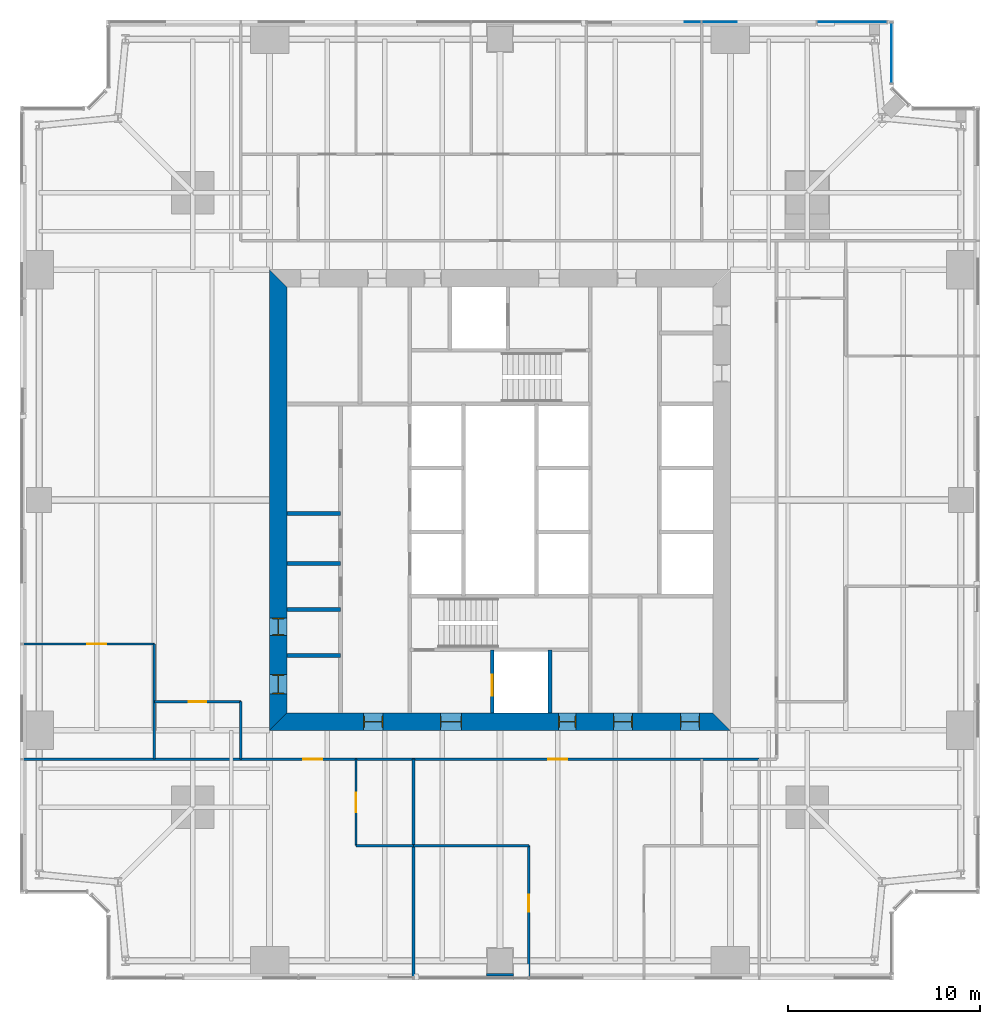
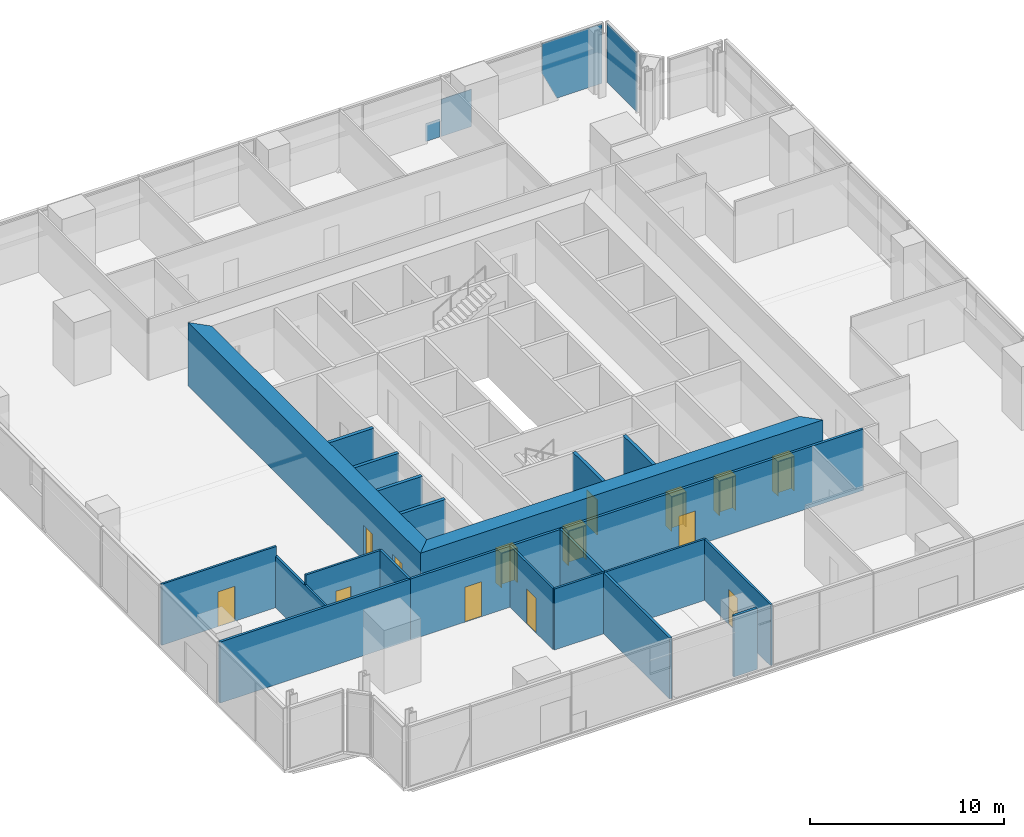
# One storey, part 9 of 14: 20 walls, 14 doors, 4 plates, 14 openings, 2 elements without a shape of their own.
"""IFC4 building model written with IfcOpenShell, lengths in metres."""

from ifc_helpers import new_model, si_unit, direction, frame, frame_2d, origin, origin_2d, place, context, subcontext, project, spatial, polyline, rectangle, outline, extrude, material, layer, layer_set, type_object, element, fill, aggregate, save


model = new_model("IFC4")

# Units and contexts
model_context = context("Model", 3, precision=1e-05, world=origin(), true_north=direction((0.0, 1.0)))
body_context = subcontext(model_context, "Body", "Model", "MODEL_VIEW")
ifc_project = project(units=[si_unit("LENGTHUNIT", "METRE"), si_unit("AREAUNIT", "SQUARE_METRE"), si_unit("VOLUMEUNIT", "CUBIC_METRE"), si_unit("PLANEANGLEUNIT", "RADIAN"), si_unit("MASSUNIT", "GRAM", prefix="KILO")], contexts=[model_context])

# Site, building, storey
site_placement = place(None, origin())
site = spatial("IfcSite", under=ifc_project, at=site_placement, CompositionType="ELEMENT")
building_placement = place(site_placement, origin())
building = spatial("IfcBuilding", under=site, at=building_placement, Name="Fenwick Lantern Interchange", CompositionType="ELEMENT")
storey_placement = place(building_placement, frame((0.0, 0.0, 154.39990234375)))
storey = spatial("IfcBuildingStorey", under=building, at=storey_placement, Name="L36", CompositionType="ELEMENT", Elevation=154.39990234375)

# Curtain wall, plate
ifc_material_1 = material(Name="Aluminium curtain wall frame", Category="aluminium")
curtain_wall_type = type_object("IfcCurtainWallType", Name="OFFICE CURTAIN WALL", PredefinedType="USERDEFINED", material=ifc_material_1)
curtain_wall_1_placement = place(storey_placement, origin())
curtain_wall_1 = element("IfcCurtainWall", 1, at=curtain_wall_1_placement, inside=storey, type_object=curtain_wall_type, Name="Office curtain wall 08", ObjectType="OFFICE CURTAIN WALL", PredefinedType="USERDEFINED")
ifc_material_2 = material(Name="Vision glass, clear low-iron double glazed", Category="glass")
ifc_layer_1 = layer(ifc_material_2, 0.031982421875)
ifc_layer_set_1 = layer_set([ifc_layer_1], Name="OFFICE CURTAIN WALL PANEL 32")
plate_type = type_object("IfcPlateType", Name="OFFICE CURTAIN WALL PANEL 32", PredefinedType="CURTAIN_PANEL", material=ifc_layer_set_1)
plate_1_placement = place(storey_placement, frame((45.39990234375, 48.279296875, 0.0), z_axis=(0.0, 0.0, 1.0), x_axis=(0.0, 1.0, 0.0)))
plate_1 = element("IfcPlate", 2, at=plate_1_placement, type_object=plate_type, Name="L36/CW/08/P00", PredefinedType="CURTAIN_PANEL", context=body_context, shape_type="SweptSolid", body=[
    extrude(rectangle(XDim=3.111328125, YDim=0.031982421875, at=origin_2d()), origin(), (0.0, 0.0, 1.0), 3.75),
])
aggregate(curtain_wall_1, [plate_1])

# Curtain wall, plates
curtain_wall_2_placement = place(storey_placement, origin())
curtain_wall_2 = element("IfcCurtainWall", 3, at=curtain_wall_2_placement, inside=storey, type_object=curtain_wall_type, Name="Office curtain wall 09", ObjectType="OFFICE CURTAIN WALL", PredefinedType="USERDEFINED")
plate_2_placement = place(storey_placement, frame((45.39990234375, 49.89990234375, 0.0), z_axis=(0.0, 0.0, 1.0), x_axis=(-1.0, 0.0, 0.0)))
plate_2 = element("IfcPlate", 4, at=plate_2_placement, type_object=plate_type, Name="L36/CW/09/P00a", PredefinedType="CURTAIN_PANEL", context=body_context, shape_type="SweptSolid", body=[
    extrude(outline(polyline([(0.264892578125, 0.0), (2.97265625, 0.0), (3.867431640625, 1.895263671875), (3.867431640625, 3.75), (0.264892578125, 3.75), (0.264892578125, 0.0)])), frame((0.0, 0.01611328125, 0.0), z_axis=(0.0, -1.0, 0.0), x_axis=(1.0, 0.0, 0.0)), (0.0, 0.0, 1.0), 0.031982421875),
])
plate_3_placement = place(storey_placement, frame((45.39990234375, 49.89990234375, 0.0), z_axis=(0.0, 0.0, 1.0), x_axis=(-1.0, 0.0, 0.0)))
plate_3 = element("IfcPlate", 5, at=plate_3_placement, type_object=plate_type, Name="L36/CW/09/P01a", PredefinedType="CURTAIN_PANEL", context=body_context, shape_type="SweptSolid", body=[
    extrude(outline(polyline([(8.063720703125, 0.0), (9.867431640625, 0.0), (9.867431640625, 2.350341796875), (8.063720703125, 2.350341796875), (8.063720703125, 0.0)])), frame((0.0, 0.01611328125, 0.0), z_axis=(0.0, -1.0, 0.0), x_axis=(1.0, 0.0, 0.0)), (0.0, 0.0, 1.0), 0.031982421875),
])
plate_4_placement = place(storey_placement, frame((45.39990234375, 49.89990234375, 0.0), z_axis=(0.0, 0.0, 1.0), x_axis=(-1.0, 0.0, 0.0)))
plate_4 = element("IfcPlate", 6, at=plate_4_placement, type_object=plate_type, Name="L36/CW/09/P02a", PredefinedType="CURTAIN_PANEL", context=body_context, shape_type="SweptSolid", body=[
    extrude(outline(polyline([(9.9326171875, 0.0), (10.78759765625, 0.0), (10.78759765625, 1.13232421875), (9.9326171875, 1.13232421875), (9.9326171875, 0.0)])), frame((0.0, 0.01611328125, 0.0), z_axis=(0.0, -1.0, 0.0), x_axis=(1.0, 0.0, 0.0)), (0.0, 0.0, 1.0), 0.031982421875),
])
aggregate(curtain_wall_2, [plate_2, plate_3, plate_4])

# Wall
ifc_material_3 = material(Name="Fire-rated gypsum board encasement on steel studs, 2 hour", Category="steel")
ifc_layer_2 = layer(ifc_material_3, 1.39990234375)
ifc_layer_set_2 = layer_set([ifc_layer_2], Name="COLUMN PIER 1400")
wall_type_1 = type_object("IfcWallType", Name="COLUMN PIER 1400", PredefinedType="PARTITIONING", material=ifc_layer_set_2)
wall_1_placement = place(storey_placement, frame((25.0, 0.199951171875, 0.0), z_axis=(0.0, 0.0, 1.0), x_axis=(0.0, 1.0, 0.0)))
element("IfcWall", 7, at=wall_1_placement, inside=storey, type_object=wall_type_1, Name="L36/W/PIER/CS3", PredefinedType="PARTITIONING", context=body_context, shape_type="SweptSolid", body=[
    extrude(rectangle(XDim=0.150146484375, YDim=1.39990234375, at=frame_2d((0.0751953125, 0.0))), origin(), (0.0, 0.0, 1.0), 3.85009765625),
])

# Wall, opening, door
ifc_material_4 = material(Name="Concrete masonry ASTM C90 Grade N", Category="masonry")
ifc_layer_3 = layer(ifc_material_4, 0.199951171875)
ifc_layer_set_3 = layer_set([ifc_layer_3], Name="Concrete masonry ASTM C90 Grade N")
wall_type_2 = type_object("IfcWallType", Name="CORE PARTITION 200", PredefinedType="PARTITIONING", material=ifc_layer_set_3)
wall_2_placement = place(storey_placement, frame((24.60009765625, 13.89990234375, 0.0), z_axis=(0.0, 0.0, 1.0), x_axis=(0.0, 1.0, 0.0)))
wall_2 = element("IfcWall", 8, at=wall_2_placement, inside=storey, type_object=wall_type_2, Name="L36/W/CORES/h1", PredefinedType="PARTITIONING", context=body_context, shape_type="SweptSolid", body=[
    extrude(rectangle(XDim=3.300048828125, YDim=0.199951171875, at=frame_2d((1.64990234375, 0.0))), origin(), (0.0, 0.0, 1.0), 3.800048828125),
])
opening_1_placement = place(wall_2_placement, frame((0.89990234375, 0.0, 0.0)))
opening_1 = element("IfcOpeningElement", 9, at=opening_1_placement, cuts=wall_2, Name="Opening LD-FL1", PredefinedType="OPENING", context=body_context, shape_type="SweptSolid", body=[
    extrude(rectangle(XDim=1.10009765625, YDim=2.199951171875, at=frame_2d((0.550048828125, 1.10009765625))), frame((0.0, 0.10986328125, 0.0), z_axis=(0.0, -1.0, 0.0), x_axis=(1.0, 0.0, 0.0)), (0.0, 0.0, 1.0), 0.219970703125),
])
ifc_material_5 = material(Name="Steel door and frame", Category="steel")
door_type_1 = type_object("IfcDoorType", Name="LIFT LANDING DOOR 1100 X 2200", OperationType="DOUBLE_DOOR_SLIDING", PredefinedType="DOOR", material=ifc_material_5)
door_1_placement = place(opening_1_placement, origin())
door_1 = element("IfcDoor", 10, at=door_1_placement, inside=storey, type_object=door_type_1, Name="Lift landing door FL1", OperationType="DOUBLE_DOOR_SLIDING", OverallHeight=2.199951171875, OverallWidth=1.10009765625, PredefinedType="DOOR", context=body_context, shape_type="SweptSolid", body=[
    extrude(rectangle(XDim=1.10009765625, YDim=2.199951171875, at=frame_2d((0.550048828125, 1.10009765625))), frame((0.0, 0.02490234375, 0.0), z_axis=(0.0, -1.0, 0.0), x_axis=(1.0, 0.0, 0.0)), (0.0, 0.0, 1.0), 0.050048828125),
])
fill(opening_1, door_1)

# Walls
wall_3_placement = place(storey_placement, frame((27.60009765625, 13.89990234375, 0.0), z_axis=(0.0, 0.0, 1.0), x_axis=(0.0, 1.0, 0.0)))
element("IfcWall", 11, at=wall_3_placement, inside=storey, type_object=wall_type_2, Name="L36/W/CORES/h2", PredefinedType="PARTITIONING", context=body_context, shape_type="SweptSolid", body=[
    extrude(rectangle(XDim=3.300048828125, YDim=0.199951171875, at=frame_2d((1.64990234375, 0.0))), origin(), (0.0, 0.0, 1.0), 3.800048828125),
])
for number, where, z_axis, x_axis, name in (
    (12, (13.89990234375, 16.89990234375, 0.0), (0.0, 0.0, 1.0), (1.0, 0.0, 0.0), "L36/W/CORES/p1"),
    (13, (13.89990234375, 19.300048828125, 0.0), (0.0, 0.0, 1.0), (1.0, 0.0, 0.0), "L36/W/CORES/p2"),
    (14, (13.89990234375, 21.699951171875, 0.0), (0.0, 0.0, 1.0), (1.0, 0.0, 0.0), "L36/W/CORES/p3"),
    (15, (13.89990234375, 24.300048828125, 0.0), (0.0, 0.0, 1.0), (1.0, 0.0, 0.0), "L36/W/CORES/p4"),
):
    element("IfcWall", number, at=place(storey_placement, frame(where, z_axis=z_axis, x_axis=x_axis)), inside=storey, type_object=wall_type_2, Name=name, PredefinedType="PARTITIONING", context=body_context, shape_type="SweptSolid", body=[
        extrude(rectangle(XDim=2.800048828125, YDim=0.199951171875, at=frame_2d((1.39990234375, 0.0))), origin(), (0.0, 0.0, 1.0), 3.800048828125),
    ])

# Wall, openings, doors
ifc_material_6 = material(Name="Concrete f'c 70 MPa", Category="concrete")
ifc_layer_4 = layer(ifc_material_6, 0.89990234375)
ifc_layer_set_4 = layer_set([ifc_layer_4], Name="CORE WALL 900")
wall_type_3 = type_object("IfcWallType", Name="CORE WALL 900", PredefinedType="SHEAR", material=ifc_layer_set_4)
wall_4_placement = place(storey_placement, frame((13.0, 13.449951171875, 0.0), z_axis=(0.0, 0.0, 1.0), x_axis=(1.0, 0.0, 0.0)))
wall_4 = element("IfcWall", 16, at=wall_4_placement, inside=storey, type_object=wall_type_3, Name="L36/CORE/S", PredefinedType="SHEAR", context=body_context, shape_type="SweptSolid", body=[
    extrude(outline(polyline([(0.0, -0.449951171875), (24.0, -0.449951171875), (23.10009765625, 0.449951171875), (0.89990234375, 0.449951171875), (0.0, -0.449951171875)])), origin(), (0.0, 0.0, 1.0), 4.0),
])
opening_2_placement = place(wall_4_placement, frame((4.89990234375, 0.0, 0.0)))
opening_2 = element("IfcOpeningElement", 17, at=opening_2_placement, cuts=wall_4, Name="Opening L36-D001", PredefinedType="OPENING", context=body_context, shape_type="SweptSolid", body=[
    extrude(rectangle(XDim=1.0, YDim=2.199951171875, at=frame_2d((0.5, 1.10009765625))), frame((0.0, 0.4599609375, 0.0), z_axis=(0.0, -1.0, 0.0), x_axis=(1.0, 0.0, 0.0)), (0.0, 0.0, 1.0), 0.919921875),
])
opening_3_placement = place(wall_4_placement, frame((8.89990234375, 0.0, 0.0)))
opening_3 = element("IfcOpeningElement", 18, at=opening_3_placement, cuts=wall_4, Name="Opening L36-D002", PredefinedType="OPENING", context=body_context, shape_type="SweptSolid", body=[
    extrude(rectangle(XDim=1.10009765625, YDim=2.199951171875, at=frame_2d((0.550048828125, 1.10009765625))), frame((0.0, 0.4599609375, 0.0), z_axis=(0.0, -1.0, 0.0), x_axis=(1.0, 0.0, 0.0)), (0.0, 0.0, 1.0), 0.919921875),
])
opening_4_placement = place(wall_4_placement, frame((15.050048828125, 0.0, 0.0)))
opening_4 = element("IfcOpeningElement", 19, at=opening_4_placement, cuts=wall_4, Name="Opening L36-D004", PredefinedType="OPENING", context=body_context, shape_type="SweptSolid", body=[
    extrude(rectangle(XDim=0.89990234375, YDim=2.199951171875, at=frame_2d((0.449951171875, 1.10009765625))), frame((0.0, 0.4599609375, 0.0), z_axis=(0.0, -1.0, 0.0), x_axis=(1.0, 0.0, 0.0)), (0.0, 0.0, 1.0), 0.919921875),
])
opening_5_placement = place(wall_4_placement, frame((17.89990234375, 0.0, 0.0)))
opening_5 = element("IfcOpeningElement", 20, at=opening_5_placement, cuts=wall_4, Name="Opening L36-D005", PredefinedType="OPENING", context=body_context, shape_type="SweptSolid", body=[
    extrude(rectangle(XDim=1.0, YDim=2.199951171875, at=frame_2d((0.5, 1.10009765625))), frame((0.0, 0.4599609375, 0.0), z_axis=(0.0, -1.0, 0.0), x_axis=(1.0, 0.0, 0.0)), (0.0, 0.0, 1.0), 0.919921875),
])
opening_6_placement = place(wall_4_placement, frame((21.39990234375, 0.0, 0.0)))
opening_6 = element("IfcOpeningElement", 21, at=opening_6_placement, cuts=wall_4, Name="Opening L36-D006", PredefinedType="OPENING", context=body_context, shape_type="SweptSolid", body=[
    extrude(rectangle(XDim=1.0, YDim=2.199951171875, at=frame_2d((0.5, 1.10009765625))), frame((0.0, 0.4599609375, 0.0), z_axis=(0.0, -1.0, 0.0), x_axis=(1.0, 0.0, 0.0)), (0.0, 0.0, 1.0), 0.919921875),
])
door_type_2 = type_object("IfcDoorType", Name="CORE LOBBY DOOR 1000 X 2200", OperationType="SINGLE_SWING_LEFT", PredefinedType="DOOR", material=ifc_material_5)
door_2_placement = place(opening_2_placement, origin())
door_2 = element("IfcDoor", 22, at=door_2_placement, inside=storey, type_object=door_type_2, Name="Core lobby door", OperationType="SINGLE_SWING_LEFT", OverallHeight=2.199951171875, OverallWidth=1.0, PredefinedType="DOOR", context=body_context, shape_type="SweptSolid", body=[
    extrude(rectangle(XDim=1.0, YDim=2.199951171875, at=frame_2d((0.5, 1.10009765625))), frame((0.0, 0.02490234375, 0.0), z_axis=(0.0, -1.0, 0.0), x_axis=(1.0, 0.0, 0.0)), (0.0, 0.0, 1.0), 0.050048828125),
    extrude(outline(polyline([(0.0, 0.0), (0.0400390625, 0.0), (0.0400390625, 2.159912109375), (0.9599609375, 2.159912109375), (0.9599609375, 0.0), (1.0, 0.0), (1.0, 2.199951171875), (0.0, 2.199951171875), (0.0, 0.0)])), frame((0.0, 0.300048828125, 0.0), z_axis=(0.0, -1.0, 0.0), x_axis=(1.0, 0.0, 0.0)), (0.0, 0.0, 1.0), 0.60009765625),
])
fill(opening_2, door_2)
door_type_3 = type_object("IfcDoorType", Name="FIRE LOBBY DOOR 1100 X 2200", OperationType="SINGLE_SWING_LEFT", PredefinedType="DOOR", material=ifc_material_5)
door_3_placement = place(opening_3_placement, origin())
door_3 = element("IfcDoor", 23, at=door_3_placement, inside=storey, type_object=door_type_3, Name="Fire lobby door", OperationType="SINGLE_SWING_LEFT", OverallHeight=2.199951171875, OverallWidth=1.10009765625, PredefinedType="DOOR", context=body_context, shape_type="SweptSolid", body=[
    extrude(rectangle(XDim=1.10009765625, YDim=2.199951171875, at=frame_2d((0.550048828125, 1.10009765625))), frame((0.0, 0.02490234375, 0.0), z_axis=(0.0, -1.0, 0.0), x_axis=(1.0, 0.0, 0.0)), (0.0, 0.0, 1.0), 0.050048828125),
    extrude(outline(polyline([(0.0, 0.0), (0.0400390625, 0.0), (0.0400390625, 2.159912109375), (1.06005859375, 2.159912109375), (1.06005859375, 0.0), (1.10009765625, 0.0), (1.10009765625, 2.199951171875), (0.0, 2.199951171875), (0.0, 0.0)])), frame((0.0, 0.300048828125, 0.0), z_axis=(0.0, -1.0, 0.0), x_axis=(1.0, 0.0, 0.0)), (0.0, 0.0, 1.0), 0.60009765625),
])
fill(opening_3, door_3)
door_type_4 = type_object("IfcDoorType", Name="SERVICE DOOR 900 X 2200", OperationType="SINGLE_SWING_LEFT", PredefinedType="DOOR", material=ifc_material_5)
door_4_placement = place(opening_4_placement, origin())
door_4 = element("IfcDoor", 24, at=door_4_placement, inside=storey, type_object=door_type_4, Name="Service door", OperationType="SINGLE_SWING_LEFT", OverallHeight=2.199951171875, OverallWidth=0.89990234375, PredefinedType="DOOR", context=body_context, shape_type="SweptSolid", body=[
    extrude(rectangle(XDim=0.89990234375, YDim=2.199951171875, at=frame_2d((0.449951171875, 1.10009765625))), frame((0.0, 0.02490234375, 0.0), z_axis=(0.0, -1.0, 0.0), x_axis=(1.0, 0.0, 0.0)), (0.0, 0.0, 1.0), 0.050048828125),
    extrude(outline(polyline([(0.0, 0.0), (0.0400390625, 0.0), (0.0400390625, 2.159912109375), (0.85986328125, 2.159912109375), (0.85986328125, 0.0), (0.89990234375, 0.0), (0.89990234375, 2.199951171875), (0.0, 2.199951171875), (0.0, 0.0)])), frame((0.0, 0.300048828125, 0.0), z_axis=(0.0, -1.0, 0.0), x_axis=(1.0, 0.0, 0.0)), (0.0, 0.0, 1.0), 0.60009765625),
])
fill(opening_4, door_4)
ifc_material_7 = material(Name="Hardwood door and steel frame", Category="steel")
door_type_5 = type_object("IfcDoorType", Name="WC DOOR 1000 X 2200", OperationType="SINGLE_SWING_LEFT", PredefinedType="DOOR", material=ifc_material_7)
door_5_placement = place(opening_5_placement, origin())
door_5 = element("IfcDoor", 25, at=door_5_placement, inside=storey, type_object=door_type_5, Name="Wc door", OperationType="SINGLE_SWING_RIGHT", OverallHeight=2.199951171875, OverallWidth=1.0, PredefinedType="DOOR", context=body_context, shape_type="SweptSolid", body=[
    extrude(rectangle(XDim=1.0, YDim=2.199951171875, at=frame_2d((0.5, 1.10009765625))), frame((0.0, 0.02490234375, 0.0), z_axis=(0.0, -1.0, 0.0), x_axis=(1.0, 0.0, 0.0)), (0.0, 0.0, 1.0), 0.050048828125),
    extrude(outline(polyline([(0.0, 0.0), (0.0400390625, 0.0), (0.0400390625, 2.159912109375), (0.9599609375, 2.159912109375), (0.9599609375, 0.0), (1.0, 0.0), (1.0, 2.199951171875), (0.0, 2.199951171875), (0.0, 0.0)])), frame((0.0, 0.300048828125, 0.0), z_axis=(0.0, -1.0, 0.0), x_axis=(1.0, 0.0, 0.0)), (0.0, 0.0, 1.0), 0.60009765625),
])
fill(opening_5, door_5)
door_6_placement = place(opening_6_placement, origin())
door_6 = element("IfcDoor", 26, at=door_6_placement, inside=storey, type_object=door_type_5, Name="Wc door", OperationType="SINGLE_SWING_RIGHT", OverallHeight=2.199951171875, OverallWidth=1.0, PredefinedType="DOOR", context=body_context, shape_type="SweptSolid", body=[
    extrude(rectangle(XDim=1.0, YDim=2.199951171875, at=frame_2d((0.5, 1.10009765625))), frame((0.0, 0.02490234375, 0.0), z_axis=(0.0, -1.0, 0.0), x_axis=(1.0, 0.0, 0.0)), (0.0, 0.0, 1.0), 0.050048828125),
    extrude(outline(polyline([(0.0, 0.0), (0.0400390625, 0.0), (0.0400390625, 2.159912109375), (0.9599609375, 2.159912109375), (0.9599609375, 0.0), (1.0, 0.0), (1.0, 2.199951171875), (0.0, 2.199951171875), (0.0, 0.0)])), frame((0.0, 0.300048828125, 0.0), z_axis=(0.0, -1.0, 0.0), x_axis=(1.0, 0.0, 0.0)), (0.0, 0.0, 1.0), 0.60009765625),
])
fill(opening_6, door_6)

wall_5_placement = place(storey_placement, frame((13.449951171875, 36.10009765625, 0.0), z_axis=(0.0, 0.0, 1.0), x_axis=(0.0, -1.0, 0.0)))
wall_5 = element("IfcWall", 27, at=wall_5_placement, inside=storey, type_object=wall_type_3, Name="L36/CORE/W", PredefinedType="SHEAR", context=body_context, shape_type="SweptSolid", body=[
    extrude(outline(polyline([(-0.89990234375, -0.449951171875), (23.10009765625, -0.449951171875), (22.199951171875, 0.449951171875), (0.0, 0.449951171875), (-0.89990234375, -0.449951171875)])), origin(), (0.0, 0.0, 1.0), 4.0),
])
opening_7_placement = place(wall_5_placement, frame((20.199951171875, 0.0, 0.0)))
opening_7 = element("IfcOpeningElement", 28, at=opening_7_placement, cuts=wall_5, Name="Opening L36-D007", PredefinedType="OPENING", context=body_context, shape_type="SweptSolid", body=[
    extrude(rectangle(XDim=1.0, YDim=2.199951171875, at=frame_2d((0.5, 1.10009765625))), frame((0.0, 0.4599609375, 0.0), z_axis=(0.0, -1.0, 0.0), x_axis=(1.0, 0.0, 0.0)), (0.0, 0.0, 1.0), 0.919921875),
])
opening_8_placement = place(wall_5_placement, frame((17.25, 0.0, 0.0)))
opening_8 = element("IfcOpeningElement", 29, at=opening_8_placement, cuts=wall_5, Name="Opening L36-D008", PredefinedType="OPENING", context=body_context, shape_type="SweptSolid", body=[
    extrude(rectangle(XDim=0.89990234375, YDim=2.199951171875, at=frame_2d((0.449951171875, 1.10009765625))), frame((0.0, 0.4599609375, 0.0), z_axis=(0.0, -1.0, 0.0), x_axis=(1.0, 0.0, 0.0)), (0.0, 0.0, 1.0), 0.919921875),
])
door_7_placement = place(opening_8_placement, origin())
door_7 = element("IfcDoor", 30, at=door_7_placement, inside=storey, type_object=door_type_4, Name="Service door", OperationType="SINGLE_SWING_LEFT", OverallHeight=2.199951171875, OverallWidth=0.89990234375, PredefinedType="DOOR", context=body_context, shape_type="SweptSolid", body=[
    extrude(rectangle(XDim=0.89990234375, YDim=2.199951171875, at=frame_2d((0.449951171875, 1.10009765625))), frame((0.0, 0.02490234375, 0.0), z_axis=(0.0, -1.0, 0.0), x_axis=(1.0, 0.0, 0.0)), (0.0, 0.0, 1.0), 0.050048828125),
    extrude(outline(polyline([(0.0, 0.0), (0.0400390625, 0.0), (0.0400390625, 2.159912109375), (0.85986328125, 2.159912109375), (0.85986328125, 0.0), (0.89990234375, 0.0), (0.89990234375, 2.199951171875), (0.0, 2.199951171875), (0.0, 0.0)])), frame((0.0, 0.300048828125, 0.0), z_axis=(0.0, -1.0, 0.0), x_axis=(1.0, 0.0, 0.0)), (0.0, 0.0, 1.0), 0.60009765625),
])
fill(opening_8, door_7)
door_8_placement = place(opening_7_placement, origin())
door_8 = element("IfcDoor", 31, at=door_8_placement, inside=storey, type_object=door_type_5, Name="Wc door", OperationType="SINGLE_SWING_LEFT", OverallHeight=2.199951171875, OverallWidth=1.0, PredefinedType="DOOR", context=body_context, shape_type="SweptSolid", body=[
    extrude(rectangle(XDim=1.0, YDim=2.199951171875, at=frame_2d((0.5, 1.10009765625))), frame((0.0, 0.02490234375, 0.0), z_axis=(0.0, -1.0, 0.0), x_axis=(1.0, 0.0, 0.0)), (0.0, 0.0, 1.0), 0.050048828125),
    extrude(outline(polyline([(0.0, 0.0), (0.0400390625, 0.0), (0.0400390625, 2.159912109375), (0.9599609375, 2.159912109375), (0.9599609375, 0.0), (1.0, 0.0), (1.0, 2.199951171875), (0.0, 2.199951171875), (0.0, 0.0)])), frame((0.0, 0.300048828125, 0.0), z_axis=(0.0, -1.0, 0.0), x_axis=(1.0, 0.0, 0.0)), (0.0, 0.0, 1.0), 0.60009765625),
])
fill(opening_7, door_8)

ifc_material_8 = material(Name="Gypsum board on steel studs, 1 hour", Category="steel")
ifc_layer_5 = layer(ifc_material_8, 0.14990234375)
ifc_layer_set_5 = layer_set([ifc_layer_5], Name="CORRIDOR WALL 150")
wall_type_4 = type_object("IfcWallType", Name="CORRIDOR WALL 150", PredefinedType="PARTITIONING", material=ifc_layer_set_5)
wall_6_placement = place(storey_placement, frame((11.5, 11.5, 0.0), z_axis=(0.0, 0.0, 1.0), x_axis=(1.0, 0.0, 0.0)))
wall_6 = element("IfcWall", 32, at=wall_6_placement, inside=storey, type_object=wall_type_4, Name="L36/W/OFF/S/CW", PredefinedType="PARTITIONING", context=body_context, shape_type="SweptSolid", body=[
    extrude(rectangle(XDim=27.0, YDim=0.14990234375, at=frame_2d((13.5, 0.0))), origin(), (0.0, 0.0, 1.0), 3.85009765625),
])
opening_9_placement = place(wall_6_placement, frame((3.25, 0.0, 0.0)))
opening_9 = element("IfcOpeningElement", 33, at=opening_9_placement, cuts=wall_6, Name="Opening L36-D020", PredefinedType="OPENING", context=body_context, shape_type="SweptSolid", body=[
    extrude(rectangle(XDim=1.0, YDim=2.199951171875, at=frame_2d((0.5, 1.10009765625))), frame((0.0, 0.0849609375, 0.0), z_axis=(0.0, -1.0, 0.0), x_axis=(1.0, 0.0, 0.0)), (0.0, 0.0, 1.0), 0.169921875),
])
opening_10_placement = place(wall_6_placement, frame((16.0, 0.0, 0.0)))
opening_10 = element("IfcOpeningElement", 34, at=opening_10_placement, cuts=wall_6, Name="Opening L36-D022", PredefinedType="OPENING", context=body_context, shape_type="SweptSolid", body=[
    extrude(rectangle(XDim=1.0, YDim=2.199951171875, at=frame_2d((0.5, 1.10009765625))), frame((0.0, 0.0849609375, 0.0), z_axis=(0.0, -1.0, 0.0), x_axis=(1.0, 0.0, 0.0)), (0.0, 0.0, 1.0), 0.169921875),
])
door_type_6 = type_object("IfcDoorType", Name="SUITE ENTRANCE DOOR 1000 X 2200", OperationType="SINGLE_SWING_LEFT", PredefinedType="DOOR", material=ifc_material_5)
door_9_placement = place(opening_9_placement, frame((1.0, 0.0, 0.0), z_axis=(0.0, 0.0, 1.0), x_axis=(-1.0, 0.0, 0.0)))
door_9 = element("IfcDoor", 35, at=door_9_placement, inside=storey, type_object=door_type_6, Name="Suite entrance door", OperationType="SINGLE_SWING_LEFT", OverallHeight=2.199951171875, OverallWidth=1.0, PredefinedType="DOOR", context=body_context, shape_type="SweptSolid", body=[
    extrude(rectangle(XDim=1.0, YDim=2.199951171875, at=frame_2d((0.5, 1.10009765625))), frame((0.0, 0.02490234375, 0.0), z_axis=(0.0, -1.0, 0.0), x_axis=(1.0, 0.0, 0.0)), (0.0, 0.0, 1.0), 0.050048828125),
])
fill(opening_9, door_9)
door_10_placement = place(opening_10_placement, frame((1.0, 0.0, 0.0), z_axis=(0.0, 0.0, 1.0), x_axis=(-1.0, 0.0, 0.0)))
door_10 = element("IfcDoor", 36, at=door_10_placement, inside=storey, type_object=door_type_6, Name="Suite entrance door", OperationType="SINGLE_SWING_RIGHT", OverallHeight=2.199951171875, OverallWidth=1.0, PredefinedType="DOOR", context=body_context, shape_type="SweptSolid", body=[
    extrude(rectangle(XDim=1.0, YDim=2.199951171875, at=frame_2d((0.5, 1.10009765625))), frame((0.0, 0.02490234375, 0.0), z_axis=(0.0, -1.0, 0.0), x_axis=(1.0, 0.0, 0.0)), (0.0, 0.0, 1.0), 0.050048828125),
])
fill(opening_10, door_10)

# Wall, opening, door
ifc_material_9 = material(Name="Gypsum board on steel studs, acoustic", Category="steel")
ifc_layer_6 = layer(ifc_material_9, 0.125)
ifc_layer_set_6 = layer_set([ifc_layer_6], Name="OFFICE PARTITION 125")
wall_type_5 = type_object("IfcWallType", Name="OFFICE PARTITION 125", PredefinedType="PARTITIONING", material=ifc_layer_set_6)
wall_7_placement = place(storey_placement, frame((17.5, 7.0, 0.0), z_axis=(0.0, 0.0, 1.0), x_axis=(0.0, 1.0, 0.0)))
wall_7 = element("IfcWall", 37, at=wall_7_placement, inside=storey, type_object=wall_type_5, Name="L36/W/OFF/S/X175-1", PredefinedType="PARTITIONING", context=body_context, shape_type="SweptSolid", body=[
    extrude(rectangle(XDim=4.5, YDim=0.125, at=frame_2d((2.25, 0.0))), origin(), (0.0, 0.0, 1.0), 3.85009765625),
])
opening_11_placement = place(wall_7_placement, frame((1.75, 0.0, 0.0)))
opening_11 = element("IfcOpeningElement", 38, at=opening_11_placement, cuts=wall_7, Name="Opening L36-D021", PredefinedType="OPENING", context=body_context, shape_type="SweptSolid", body=[
    extrude(rectangle(XDim=1.0, YDim=2.199951171875, at=frame_2d((0.5, 1.10009765625))), frame((0.0, 0.072509765625, 0.0), z_axis=(0.0, -1.0, 0.0), x_axis=(1.0, 0.0, 0.0)), (0.0, 0.0, 1.0), 0.14501953125),
])
door_type_7 = type_object("IfcDoorType", Name="MEETING ROOM DOOR 1000 X 2200", OperationType="SINGLE_SWING_LEFT", PredefinedType="DOOR", material=ifc_material_7)
door_11_placement = place(opening_11_placement, frame((1.0, 0.0, 0.0), z_axis=(0.0, 0.0, 1.0), x_axis=(-1.0, 0.0, 0.0)))
door_11 = element("IfcDoor", 39, at=door_11_placement, inside=storey, type_object=door_type_7, Name="Meeting room door", OperationType="SINGLE_SWING_RIGHT", OverallHeight=2.199951171875, OverallWidth=1.0, PredefinedType="DOOR", context=body_context, shape_type="SweptSolid", body=[
    extrude(rectangle(XDim=1.0, YDim=2.199951171875, at=frame_2d((0.5, 1.10009765625))), frame((0.0, 0.02490234375, 0.0), z_axis=(0.0, -1.0, 0.0), x_axis=(1.0, 0.0, 0.0)), (0.0, 0.0, 1.0), 0.050048828125),
])
fill(opening_11, door_11)

wall_8_placement = place(storey_placement, frame((26.5, 0.14990234375, 0.0), z_axis=(0.0, 0.0, 1.0), x_axis=(0.0, 1.0, 0.0)))
wall_8 = element("IfcWall", 40, at=wall_8_placement, inside=storey, type_object=wall_type_5, Name="L36/W/OFF/S/X265-1", PredefinedType="PARTITIONING", context=body_context, shape_type="SweptSolid", body=[
    extrude(rectangle(XDim=6.85009765625, YDim=0.125, at=frame_2d((3.425048828125, 0.0))), origin(), (0.0, 0.0, 1.0), 3.85009765625),
])
opening_12_placement = place(wall_8_placement, frame((3.39990234375, 0.0, 0.0)))
opening_12 = element("IfcOpeningElement", 41, at=opening_12_placement, cuts=wall_8, Name="Opening L36-D023", PredefinedType="OPENING", context=body_context, shape_type="SweptSolid", body=[
    extrude(rectangle(XDim=0.89990234375, YDim=2.199951171875, at=frame_2d((0.449951171875, 1.10009765625))), frame((0.0, 0.072509765625, 0.0), z_axis=(0.0, -1.0, 0.0), x_axis=(1.0, 0.0, 0.0)), (0.0, 0.0, 1.0), 0.14501953125),
])
door_type_8 = type_object("IfcDoorType", Name="OFFICE DOOR 900 X 2200", OperationType="SINGLE_SWING_LEFT", PredefinedType="DOOR", material=ifc_material_7)
door_12_placement = place(opening_12_placement, origin())
door_12 = element("IfcDoor", 42, at=door_12_placement, inside=storey, type_object=door_type_8, Name="Office door", OperationType="SINGLE_SWING_RIGHT", OverallHeight=2.199951171875, OverallWidth=0.89990234375, PredefinedType="DOOR", context=body_context, shape_type="SweptSolid", body=[
    extrude(rectangle(XDim=0.89990234375, YDim=2.199951171875, at=frame_2d((0.449951171875, 1.10009765625))), frame((0.0, 0.02490234375, 0.0), z_axis=(0.0, -1.0, 0.0), x_axis=(1.0, 0.0, 0.0)), (0.0, 0.0, 1.0), 0.050048828125),
])
fill(opening_12, door_12)

# Walls
wall_9_placement = place(storey_placement, frame((17.5, 7.0, 0.0), z_axis=(0.0, 0.0, 1.0), x_axis=(1.0, 0.0, 0.0)))
element("IfcWall", 43, at=wall_9_placement, inside=storey, type_object=wall_type_5, Name="L36/W/OFF/S/Y70-1", PredefinedType="PARTITIONING", context=body_context, shape_type="SweptSolid", body=[
    extrude(rectangle(XDim=3.0, YDim=0.125, at=frame_2d((1.5, 0.0))), origin(), (0.0, 0.0, 1.0), 3.85009765625),
])
wall_10_placement = place(storey_placement, frame((20.5, 7.0, 0.0), z_axis=(0.0, 0.0, 1.0), x_axis=(1.0, 0.0, 0.0)))
element("IfcWall", 44, at=wall_10_placement, inside=storey, type_object=wall_type_5, Name="L36/W/OFF/S/Y70-2", PredefinedType="PARTITIONING", context=body_context, shape_type="SweptSolid", body=[
    extrude(rectangle(XDim=6.0, YDim=0.125, at=frame_2d((3.0, 0.0))), origin(), (0.0, 0.0, 1.0), 3.85009765625),
])

# Wall, opening, door
wall_11_placement = place(storey_placement, frame((0.14990234375, 17.5, 0.0), z_axis=(0.0, 0.0, 1.0), x_axis=(1.0, 0.0, 0.0)))
wall_11 = element("IfcWall", 45, at=wall_11_placement, inside=storey, type_object=wall_type_5, Name="L36/W/OFF/W/X325-1", PredefinedType="PARTITIONING", context=body_context, shape_type="SweptSolid", body=[
    extrude(rectangle(XDim=6.85009765625, YDim=0.125, at=frame_2d((3.425048828125, 0.0))), origin(), (0.0, 0.0, 1.0), 3.85009765625),
])
opening_13_placement = place(wall_11_placement, frame((3.35009765625, 0.0, 0.0)))
opening_13 = element("IfcOpeningElement", 46, at=opening_13_placement, cuts=wall_11, Name="Opening L36-D039", PredefinedType="OPENING", context=body_context, shape_type="SweptSolid", body=[
    extrude(rectangle(XDim=1.0, YDim=2.199951171875, at=frame_2d((0.5, 1.10009765625))), frame((0.0, 0.072509765625, 0.0), z_axis=(0.0, -1.0, 0.0), x_axis=(1.0, 0.0, 0.0)), (0.0, 0.0, 1.0), 0.14501953125),
])
door_13_placement = place(opening_13_placement, frame((1.0, 0.0, 0.0), z_axis=(0.0, 0.0, 1.0), x_axis=(-1.0, 0.0, 0.0)))
door_13 = element("IfcDoor", 47, at=door_13_placement, inside=storey, type_object=door_type_7, Name="Meeting room door", OperationType="SINGLE_SWING_LEFT", OverallHeight=2.199951171875, OverallWidth=1.0, PredefinedType="DOOR", context=body_context, shape_type="SweptSolid", body=[
    extrude(rectangle(XDim=1.0, YDim=2.199951171875, at=frame_2d((0.5, 1.10009765625))), frame((0.0, 0.02490234375, 0.0), z_axis=(0.0, -1.0, 0.0), x_axis=(1.0, 0.0, 0.0)), (0.0, 0.0, 1.0), 0.050048828125),
])
fill(opening_13, door_13)

wall_12_placement = place(storey_placement, frame((7.0, 14.5, 0.0), z_axis=(0.0, 0.0, 1.0), x_axis=(1.0, 0.0, 0.0)))
wall_12 = element("IfcWall", 48, at=wall_12_placement, inside=storey, type_object=wall_type_5, Name="L36/W/OFF/W/X355-1", PredefinedType="PARTITIONING", context=body_context, shape_type="SweptSolid", body=[
    extrude(rectangle(XDim=4.5, YDim=0.125, at=frame_2d((2.25, 0.0))), origin(), (0.0, 0.0, 1.0), 3.85009765625),
])
opening_14_placement = place(wall_12_placement, frame((1.800048828125, 0.0, 0.0)))
opening_14 = element("IfcOpeningElement", 49, at=opening_14_placement, cuts=wall_12, Name="Opening L36-D040", PredefinedType="OPENING", context=body_context, shape_type="SweptSolid", body=[
    extrude(rectangle(XDim=0.89990234375, YDim=2.199951171875, at=frame_2d((0.449951171875, 1.10009765625))), frame((0.0, 0.072509765625, 0.0), z_axis=(0.0, -1.0, 0.0), x_axis=(1.0, 0.0, 0.0)), (0.0, 0.0, 1.0), 0.14501953125),
])
door_14_placement = place(opening_14_placement, frame((0.89990234375, 0.0, 0.0), z_axis=(0.0, 0.0, 1.0), x_axis=(-1.0, 0.0, 0.0)))
door_14 = element("IfcDoor", 50, at=door_14_placement, inside=storey, type_object=door_type_8, Name="Office door", OperationType="SINGLE_SWING_RIGHT", OverallHeight=2.199951171875, OverallWidth=0.89990234375, PredefinedType="DOOR", context=body_context, shape_type="SweptSolid", body=[
    extrude(rectangle(XDim=0.89990234375, YDim=2.199951171875, at=frame_2d((0.449951171875, 1.10009765625))), frame((0.0, 0.02490234375, 0.0), z_axis=(0.0, -1.0, 0.0), x_axis=(1.0, 0.0, 0.0)), (0.0, 0.0, 1.0), 0.050048828125),
])
fill(opening_14, door_14)

# Walls
wall_13_placement = place(storey_placement, frame((7.0, 17.5, 0.0), z_axis=(0.0, 0.0, 1.0), x_axis=(0.0, -1.0, 0.0)))
element("IfcWall", 51, at=wall_13_placement, inside=storey, type_object=wall_type_5, Name="L36/W/OFF/W/Y70-1", PredefinedType="PARTITIONING", context=body_context, shape_type="SweptSolid", body=[
    extrude(rectangle(XDim=6.0, YDim=0.125, at=frame_2d((3.0, 0.0))), origin(), (0.0, 0.0, 1.0), 3.238037109375),
])
wall_14_placement = place(storey_placement, frame((11.5, 14.5, 0.0), z_axis=(0.0, 0.0, 1.0), x_axis=(0.0, -1.0, 0.0)))
element("IfcWall", 52, at=wall_14_placement, inside=storey, type_object=wall_type_5, Name="L36/W/OFF/W/CWS1", PredefinedType="PARTITIONING", context=body_context, shape_type="SweptSolid", body=[
    extrude(rectangle(XDim=3.0, YDim=0.125, at=frame_2d((1.5, 0.0))), origin(), (0.0, 0.0, 1.0), 3.85009765625),
])
ifc_material_10 = material(Name="Gypsum board on steel studs, 1 hour acoustic", Category="steel")
ifc_layer_7 = layer(ifc_material_10, 0.14990234375)
ifc_layer_set_7 = layer_set([ifc_layer_7], Name="TENANT WALL 150")
wall_type_6 = type_object("IfcWallType", Name="TENANT WALL 150", PredefinedType="PARTITIONING", material=ifc_layer_set_7)
for number, where, z_axis, x_axis, name in (
    (53, (0.14990234375, 11.5, 0.0), (0.0, 0.0, 1.0), (1.0, 0.0, 0.0), "L36/W/OFF/S/BACK"),
    (54, (20.5, 0.14990234375, 0.0), (0.0, 0.0, 1.0), (0.0, 1.0, 0.0), "L36/W/OFF/S/X205-1"),
):
    element("IfcWall", number, at=place(storey_placement, frame(where, z_axis=z_axis, x_axis=x_axis)), inside=storey, type_object=wall_type_6, Name=name, PredefinedType="PARTITIONING", context=body_context, shape_type="SweptSolid", body=[
        extrude(rectangle(XDim=11.35009765625, YDim=0.14990234375, at=frame_2d((5.675048828125, 0.0))), origin(), (0.0, 0.0, 1.0), 3.85009765625),
    ])

save(model, "model.ifc")
